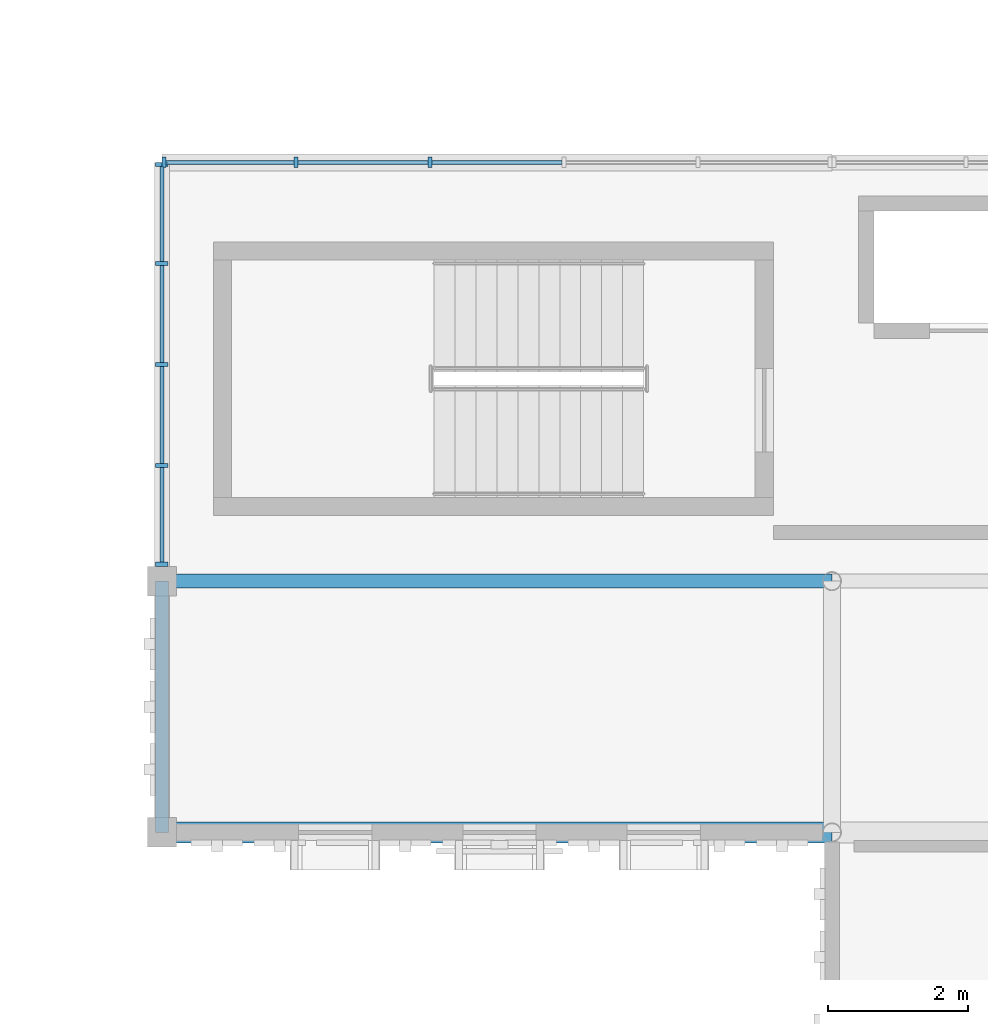
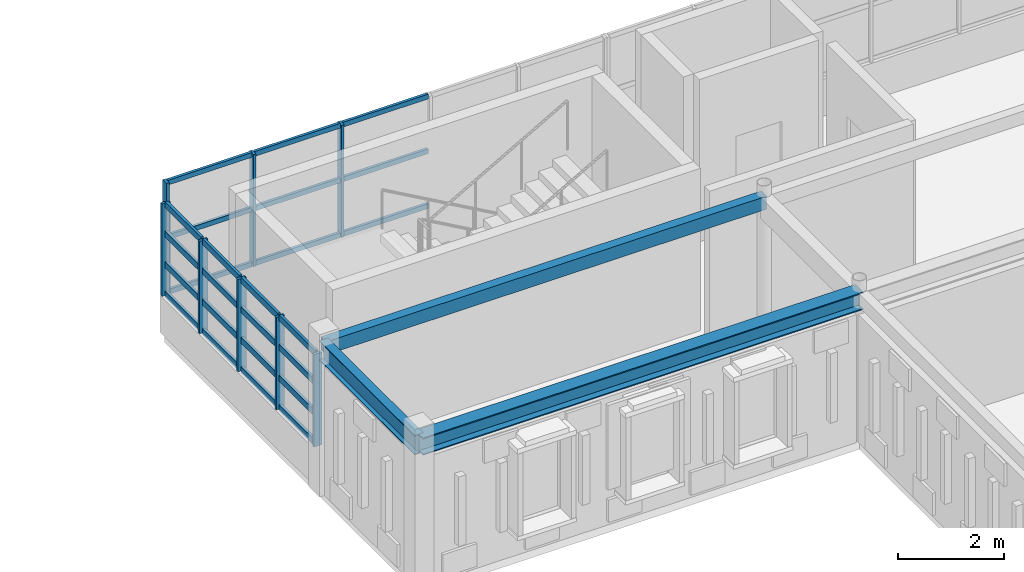
# One storey, part 14 of 46: 33 members, 3 beams, 2 elements without a shape of their own.
"""IFC4 building model written with IfcOpenShell, lengths in metres."""

from ifc_helpers import new_model, si_unit, direction, frame, origin, origin_2d, place, context, subcontext, project, spatial, rectangle, hollow_rectangle, i_section, extrude, material, material_profile, profile_set, type_object, element, aggregate, save


model = new_model("IFC4")

# Units and contexts
model_context = context("Model", 3, precision=1e-05, world=origin(), true_north=direction((0.0, 1.0)))
body_context = subcontext(model_context, "Body", "Model", "MODEL_VIEW")
ifc_project = project(units=[si_unit("LENGTHUNIT", "METRE"), si_unit("AREAUNIT", "SQUARE_METRE"), si_unit("VOLUMEUNIT", "CUBIC_METRE"), si_unit("PLANEANGLEUNIT", "RADIAN"), si_unit("MASSUNIT", "GRAM", prefix="KILO")], contexts=[model_context])

# Site, building, storey
site_placement = place(None, origin())
site = spatial("IfcSite", under=ifc_project, at=site_placement, CompositionType="ELEMENT")
building_placement = place(site_placement, origin())
building = spatial("IfcBuilding", under=site, at=building_placement, Name="Nzembalo Square Collegiate School", CompositionType="ELEMENT")
storey_placement = place(building_placement, frame((0.0, 0.0, 17.340087890625)))
storey = spatial("IfcBuildingStorey", under=building, at=storey_placement, Name="L04", CompositionType="ELEMENT", Elevation=17.340087890625)

# Beams
ifc_material_1 = material(Name="Steel S355", Category="steel")
ifc_material_profile_1 = material_profile(ifc_material_1, i_section(OverallWidth=0.18994140625, OverallDepth=0.449951171875, WebThickness=0.009521484375, FlangeThickness=0.0146484375, at=origin_2d()), Name="IPE 450")
ifc_profile_set_1 = profile_set([ifc_material_profile_1], Name="Steel S355")
beam_type_1 = type_object("IfcBeamType", Name="B09", PredefinedType="BEAM", material=ifc_profile_set_1)
beam_1_placement = place(storey_placement, frame((130.800048828125, 79.199951171875, 3.2099609375), z_axis=(0.0, 1.0, 0.0), x_axis=(-1.0, 0.0, 0.0)))
element("IfcBeam", 1, at=beam_1_placement, inside=storey, type_object=beam_type_1, Name="Beam B09 L04", PredefinedType="BEAM", context=body_context, shape_type="SweptSolid", body=[
    extrude(i_section(OverallWidth=0.18994140625, OverallDepth=0.449951171875, WebThickness=0.009521484375, FlangeThickness=0.0146484375, at=origin_2d()), origin(), (0.0, 0.0, 1.0), 3.60009765625),
])
ifc_material_2 = material(Name="Steel S355", Category="steel")
ifc_material_profile_2 = material_profile(ifc_material_2, i_section(OverallWidth=0.300048828125, OverallDepth=0.39990234375, WebThickness=0.013427734375, FlangeThickness=0.02392578125, at=origin_2d()), Name="HEB 400")
ifc_profile_set_2 = profile_set([ifc_material_profile_2], Name="Steel S355")
beam_type_2 = type_object("IfcBeamType", Name="B10", PredefinedType="BEAM", material=ifc_profile_set_2)
beam_2_placement = place(storey_placement, frame((130.800048828125, 79.199951171875, 3.23486328125), z_axis=(1.0, 0.0, 0.0), x_axis=(0.0, 1.0, 0.0)))
element("IfcBeam", 2, at=beam_2_placement, inside=storey, type_object=beam_type_2, Name="Beam B10 L04", PredefinedType="BEAM", context=body_context, shape_type="SweptSolid", body=[
    extrude(i_section(OverallWidth=0.300048828125, OverallDepth=0.39990234375, WebThickness=0.013427734375, FlangeThickness=0.02392578125, at=origin_2d()), origin(), (0.0, 0.0, 1.0), 9.599853515625),
])
ifc_material_3 = material(Name="Steel S355", Category="steel")
ifc_material_profile_3 = material_profile(ifc_material_3, hollow_rectangle(XDim=0.199951171875, YDim=0.300048828125, WallThickness=0.011962890625, at=origin_2d()), Name="RHS 300x200x12")
ifc_profile_set_3 = profile_set([ifc_material_profile_3], Name="Steel S355")
beam_type_3 = type_object("IfcBeamType", Name="SP03", PredefinedType="SPANDREL", material=ifc_profile_set_3)
beam_3_placement = place(storey_placement, frame((130.800048828125, 82.800048828125, 3.284912109375), z_axis=(1.0, 0.0, 0.0), x_axis=(0.0, 1.0, 0.0)))
element("IfcBeam", 3, at=beam_3_placement, inside=storey, type_object=beam_type_3, Name="Beam SP03 L04", PredefinedType="SPANDREL", context=body_context, shape_type="SweptSolid", body=[
    extrude(hollow_rectangle(XDim=0.199951171875, YDim=0.300048828125, WallThickness=0.011962890625, at=origin_2d()), origin(), (0.0, 0.0, 1.0), 9.599853515625),
])

# Curtain wall, members
ifc_material_4 = material(Name="Aluminium 6060-T66", Category="aluminium")
curtain_wall_type_1 = type_object("IfcCurtainWallType", Name="CW-02", PredefinedType="USERDEFINED", material=ifc_material_4)
curtain_wall_1_placement = place(storey_placement, origin())
curtain_wall_1 = element("IfcCurtainWall", 4, at=curtain_wall_1_placement, inside=storey, type_object=curtain_wall_type_1, Name="Curtain wall CW-02 cw:L04:137", ObjectType="UNITISED", PredefinedType="USERDEFINED")
ifc_material_5 = material(Name="Aluminium 6060-T66", Category="aluminium")
ifc_material_profile_4 = material_profile(ifc_material_5, rectangle(XDim=0.06005859375, YDim=0.179931640625, at=origin_2d()), Name="ALU M60x180")
ifc_profile_set_4 = profile_set([ifc_material_profile_4], Name="Aluminium 6060-T66")
member_type_1 = type_object("IfcMemberType", Name="ML01", PredefinedType="MULLION", material=ifc_profile_set_4)
member_1_placement = place(storey_placement, frame((130.800048828125, 83.0419921875, 0.849853515625), z_axis=(0.0, 0.0, 1.0), x_axis=(0.0, 1.0, 0.0)))
member_1 = element("IfcMember", 5, at=member_1_placement, type_object=member_type_1, Name="ML01 mullion 1", PredefinedType="MULLION", context=body_context, shape_type="SweptSolid", body=[
    extrude(rectangle(XDim=0.06005859375, YDim=0.179931640625, at=origin_2d()), origin(), (0.0, 0.0, 1.0), 2.129150390625),
])
member_2_placement = place(storey_placement, frame((130.800048828125, 84.458984375, 0.849853515625), z_axis=(0.0, 0.0, 1.0), x_axis=(0.0, 1.0, 0.0)))
member_2 = element("IfcMember", 6, at=member_2_placement, type_object=member_type_1, Name="ML01 mullion 2", PredefinedType="MULLION", context=body_context, shape_type="SweptSolid", body=[
    extrude(rectangle(XDim=0.06005859375, YDim=0.179931640625, at=origin_2d()), origin(), (0.0, 0.0, 1.0), 2.129150390625),
])
member_3_placement = place(storey_placement, frame((130.800048828125, 85.906005859375, 0.849853515625), z_axis=(0.0, 0.0, 1.0), x_axis=(0.0, 1.0, 0.0)))
member_3 = element("IfcMember", 7, at=member_3_placement, type_object=member_type_1, Name="ML01 mullion 3", PredefinedType="MULLION", context=body_context, shape_type="SweptSolid", body=[
    extrude(rectangle(XDim=0.06005859375, YDim=0.179931640625, at=origin_2d()), origin(), (0.0, 0.0, 1.0), 2.129150390625),
])
member_4_placement = place(storey_placement, frame((130.800048828125, 87.35302734375, 0.849853515625), z_axis=(0.0, 0.0, 1.0), x_axis=(0.0, 1.0, 0.0)))
member_4 = element("IfcMember", 8, at=member_4_placement, type_object=member_type_1, Name="ML01 mullion 4", PredefinedType="MULLION", context=body_context, shape_type="SweptSolid", body=[
    extrude(rectangle(XDim=0.06005859375, YDim=0.179931640625, at=origin_2d()), origin(), (0.0, 0.0, 1.0), 2.129150390625),
])
member_5_placement = place(storey_placement, frame((130.800048828125, 88.77001953125, 0.849853515625), z_axis=(0.0, 0.0, 1.0), x_axis=(0.0, 1.0, 0.0)))
member_5 = element("IfcMember", 9, at=member_5_placement, type_object=member_type_1, Name="ML01 mullion 5", PredefinedType="MULLION", context=body_context, shape_type="SweptSolid", body=[
    extrude(rectangle(XDim=0.06005859375, YDim=0.179931640625, at=origin_2d()), origin(), (0.0, 0.0, 1.0), 2.129150390625),
])

ifc_material_6 = material(Name="Aluminium 6060-T66", Category="aluminium")
curtain_wall_type_2 = type_object("IfcCurtainWallType", Name="CW-11", PredefinedType="USERDEFINED", material=ifc_material_6)
curtain_wall_2_placement = place(storey_placement, origin())
curtain_wall_2 = element("IfcCurtainWall", 10, at=curtain_wall_2_placement, inside=storey, type_object=curtain_wall_type_2, Name="Curtain wall CW-11 cw:L04:138", ObjectType="LANCET", PredefinedType="USERDEFINED")
ifc_material_7 = material(Name="Aluminium 6060-T66", Category="aluminium")
ifc_material_profile_5 = material_profile(ifc_material_7, rectangle(XDim=0.06005859375, YDim=0.14990234375, at=origin_2d()), Name="ALU M60x150")
ifc_profile_set_5 = profile_set([ifc_material_profile_5], Name="Aluminium 6060-T66")
member_type_2 = type_object("IfcMemberType", Name="ML02", PredefinedType="MULLION", material=ifc_profile_set_5)
member_6_placement = place(storey_placement, frame((130.830078125, 88.800048828125, 0.849853515625), z_axis=(0.0, 0.0, 1.0), x_axis=(1.0, 0.0, 0.0)))
member_6 = element("IfcMember", 11, at=member_6_placement, type_object=member_type_2, Name="ML02 mullion 1", PredefinedType="MULLION", context=body_context, shape_type="SweptSolid", body=[
    extrude(rectangle(XDim=0.06005859375, YDim=0.14990234375, at=origin_2d()), origin(), (0.0, 0.0, 1.0), 2.583984375),
])
member_7_placement = place(storey_placement, frame((132.719970703125, 88.800048828125, 0.849853515625), z_axis=(0.0, 0.0, 1.0), x_axis=(1.0, 0.0, 0.0)))
member_7 = element("IfcMember", 12, at=member_7_placement, type_object=member_type_2, Name="ML02 mullion 2", PredefinedType="MULLION", context=body_context, shape_type="SweptSolid", body=[
    extrude(rectangle(XDim=0.06005859375, YDim=0.14990234375, at=origin_2d()), origin(), (0.0, 0.0, 1.0), 2.583984375),
])
member_8_placement = place(storey_placement, frame((134.639892578125, 88.800048828125, 0.849853515625), z_axis=(0.0, 0.0, 1.0), x_axis=(1.0, 0.0, 0.0)))
member_8 = element("IfcMember", 13, at=member_8_placement, type_object=member_type_2, Name="ML02 mullion 3", PredefinedType="MULLION", context=body_context, shape_type="SweptSolid", body=[
    extrude(rectangle(XDim=0.06005859375, YDim=0.14990234375, at=origin_2d()), origin(), (0.0, 0.0, 1.0), 2.583984375),
])

# Member
ifc_material_8 = material(Name="Aluminium 6060-T66", Category="aluminium")
ifc_material_profile_6 = material_profile(ifc_material_8, rectangle(XDim=0.06005859375, YDim=0.139892578125, at=origin_2d()), Name="ALU T60x140")
ifc_profile_set_6 = profile_set([ifc_material_profile_6], Name="Aluminium 6060-T66")
member_type_3 = type_object("IfcMemberType", Name="TR01", PredefinedType="USERDEFINED", material=ifc_profile_set_6)
member_9_placement = place(storey_placement, frame((130.800048828125, 83.072021484375, 0.8798828125), z_axis=(0.0, 1.0, 0.0), x_axis=(-1.0, 0.0, 0.0)))
member_9 = element("IfcMember", 14, at=member_9_placement, type_object=member_type_3, Name="TR01 transom 1-1", ObjectType="TRANSOM", PredefinedType="USERDEFINED", context=body_context, shape_type="SweptSolid", body=[
    extrude(rectangle(XDim=0.06005859375, YDim=0.139892578125, at=origin_2d()), origin(), (0.0, 0.0, 1.0), 1.35693359375),
])

member_10_placement = place(storey_placement, frame((130.800048828125, 84.489013671875, 0.8798828125), z_axis=(0.0, 1.0, 0.0), x_axis=(-1.0, 0.0, 0.0)))
member_10 = element("IfcMember", 15, at=member_10_placement, type_object=member_type_3, Name="TR01 transom 1-2", ObjectType="TRANSOM", PredefinedType="USERDEFINED", context=body_context, shape_type="SweptSolid", body=[
    extrude(rectangle(XDim=0.06005859375, YDim=0.139892578125, at=origin_2d()), origin(), (0.0, 0.0, 1.0), 1.386962890625),
])

member_11_placement = place(storey_placement, frame((130.800048828125, 85.93603515625, 0.8798828125), z_axis=(0.0, 1.0, 0.0), x_axis=(-1.0, 0.0, 0.0)))
member_11 = element("IfcMember", 16, at=member_11_placement, type_object=member_type_3, Name="TR01 transom 1-3", ObjectType="TRANSOM", PredefinedType="USERDEFINED", context=body_context, shape_type="SweptSolid", body=[
    extrude(rectangle(XDim=0.06005859375, YDim=0.139892578125, at=origin_2d()), origin(), (0.0, 0.0, 1.0), 1.386962890625),
])

member_12_placement = place(storey_placement, frame((130.800048828125, 87.383056640625, 0.8798828125), z_axis=(0.0, 1.0, 0.0), x_axis=(-1.0, 0.0, 0.0)))
member_12 = element("IfcMember", 17, at=member_12_placement, type_object=member_type_3, Name="TR01 transom 1-4", ObjectType="TRANSOM", PredefinedType="USERDEFINED", context=body_context, shape_type="SweptSolid", body=[
    extrude(rectangle(XDim=0.06005859375, YDim=0.139892578125, at=origin_2d()), origin(), (0.0, 0.0, 1.0), 1.35693359375),
])

member_13_placement = place(storey_placement, frame((130.800048828125, 83.072021484375, 1.5595703125), z_axis=(0.0, 1.0, 0.0), x_axis=(-1.0, 0.0, 0.0)))
member_13 = element("IfcMember", 18, at=member_13_placement, type_object=member_type_3, Name="TR01 transom 2-1", ObjectType="TRANSOM", PredefinedType="USERDEFINED", context=body_context, shape_type="SweptSolid", body=[
    extrude(rectangle(XDim=0.06005859375, YDim=0.139892578125, at=origin_2d()), origin(), (0.0, 0.0, 1.0), 1.35693359375),
])

member_14_placement = place(storey_placement, frame((130.800048828125, 84.489013671875, 1.5595703125), z_axis=(0.0, 1.0, 0.0), x_axis=(-1.0, 0.0, 0.0)))
member_14 = element("IfcMember", 19, at=member_14_placement, type_object=member_type_3, Name="TR01 transom 2-2", ObjectType="TRANSOM", PredefinedType="USERDEFINED", context=body_context, shape_type="SweptSolid", body=[
    extrude(rectangle(XDim=0.06005859375, YDim=0.139892578125, at=origin_2d()), origin(), (0.0, 0.0, 1.0), 1.386962890625),
])

member_15_placement = place(storey_placement, frame((130.800048828125, 85.93603515625, 1.5595703125), z_axis=(0.0, 1.0, 0.0), x_axis=(-1.0, 0.0, 0.0)))
member_15 = element("IfcMember", 20, at=member_15_placement, type_object=member_type_3, Name="TR01 transom 2-3", ObjectType="TRANSOM", PredefinedType="USERDEFINED", context=body_context, shape_type="SweptSolid", body=[
    extrude(rectangle(XDim=0.06005859375, YDim=0.139892578125, at=origin_2d()), origin(), (0.0, 0.0, 1.0), 1.386962890625),
])

member_16_placement = place(storey_placement, frame((130.800048828125, 87.383056640625, 1.5595703125), z_axis=(0.0, 1.0, 0.0), x_axis=(-1.0, 0.0, 0.0)))
member_16 = element("IfcMember", 21, at=member_16_placement, type_object=member_type_3, Name="TR01 transom 2-4", ObjectType="TRANSOM", PredefinedType="USERDEFINED", context=body_context, shape_type="SweptSolid", body=[
    extrude(rectangle(XDim=0.06005859375, YDim=0.139892578125, at=origin_2d()), origin(), (0.0, 0.0, 1.0), 1.35693359375),
])

member_17_placement = place(storey_placement, frame((130.800048828125, 83.072021484375, 2.269287109375), z_axis=(0.0, 1.0, 0.0), x_axis=(-1.0, 0.0, 0.0)))
member_17 = element("IfcMember", 22, at=member_17_placement, type_object=member_type_3, Name="TR01 transom 3-1", ObjectType="TRANSOM", PredefinedType="USERDEFINED", context=body_context, shape_type="SweptSolid", body=[
    extrude(rectangle(XDim=0.06005859375, YDim=0.139892578125, at=origin_2d()), origin(), (0.0, 0.0, 1.0), 1.35693359375),
])

member_18_placement = place(storey_placement, frame((130.800048828125, 84.489013671875, 2.269287109375), z_axis=(0.0, 1.0, 0.0), x_axis=(-1.0, 0.0, 0.0)))
member_18 = element("IfcMember", 23, at=member_18_placement, type_object=member_type_3, Name="TR01 transom 3-2", ObjectType="TRANSOM", PredefinedType="USERDEFINED", context=body_context, shape_type="SweptSolid", body=[
    extrude(rectangle(XDim=0.06005859375, YDim=0.139892578125, at=origin_2d()), origin(), (0.0, 0.0, 1.0), 1.386962890625),
])

member_19_placement = place(storey_placement, frame((130.800048828125, 85.93603515625, 2.269287109375), z_axis=(0.0, 1.0, 0.0), x_axis=(-1.0, 0.0, 0.0)))
member_19 = element("IfcMember", 24, at=member_19_placement, type_object=member_type_3, Name="TR01 transom 3-3", ObjectType="TRANSOM", PredefinedType="USERDEFINED", context=body_context, shape_type="SweptSolid", body=[
    extrude(rectangle(XDim=0.06005859375, YDim=0.139892578125, at=origin_2d()), origin(), (0.0, 0.0, 1.0), 1.386962890625),
])

member_20_placement = place(storey_placement, frame((130.800048828125, 87.383056640625, 2.269287109375), z_axis=(0.0, 1.0, 0.0), x_axis=(-1.0, 0.0, 0.0)))
member_20 = element("IfcMember", 25, at=member_20_placement, type_object=member_type_3, Name="TR01 transom 3-4", ObjectType="TRANSOM", PredefinedType="USERDEFINED", context=body_context, shape_type="SweptSolid", body=[
    extrude(rectangle(XDim=0.06005859375, YDim=0.139892578125, at=origin_2d()), origin(), (0.0, 0.0, 1.0), 1.35693359375),
])

member_21_placement = place(storey_placement, frame((130.800048828125, 83.072021484375, 2.948974609375), z_axis=(0.0, 1.0, 0.0), x_axis=(-1.0, 0.0, 0.0)))
member_21 = element("IfcMember", 26, at=member_21_placement, type_object=member_type_3, Name="TR01 transom 4-1", ObjectType="TRANSOM", PredefinedType="USERDEFINED", context=body_context, shape_type="SweptSolid", body=[
    extrude(rectangle(XDim=0.06005859375, YDim=0.139892578125, at=origin_2d()), origin(), (0.0, 0.0, 1.0), 1.35693359375),
])

member_22_placement = place(storey_placement, frame((130.800048828125, 84.489013671875, 2.948974609375), z_axis=(0.0, 1.0, 0.0), x_axis=(-1.0, 0.0, 0.0)))
member_22 = element("IfcMember", 27, at=member_22_placement, type_object=member_type_3, Name="TR01 transom 4-2", ObjectType="TRANSOM", PredefinedType="USERDEFINED", context=body_context, shape_type="SweptSolid", body=[
    extrude(rectangle(XDim=0.06005859375, YDim=0.139892578125, at=origin_2d()), origin(), (0.0, 0.0, 1.0), 1.386962890625),
])

member_23_placement = place(storey_placement, frame((130.800048828125, 85.93603515625, 2.948974609375), z_axis=(0.0, 1.0, 0.0), x_axis=(-1.0, 0.0, 0.0)))
member_23 = element("IfcMember", 28, at=member_23_placement, type_object=member_type_3, Name="TR01 transom 4-3", ObjectType="TRANSOM", PredefinedType="USERDEFINED", context=body_context, shape_type="SweptSolid", body=[
    extrude(rectangle(XDim=0.06005859375, YDim=0.139892578125, at=origin_2d()), origin(), (0.0, 0.0, 1.0), 1.386962890625),
])

member_24_placement = place(storey_placement, frame((130.800048828125, 87.383056640625, 2.948974609375), z_axis=(0.0, 1.0, 0.0), x_axis=(-1.0, 0.0, 0.0)))
member_24 = element("IfcMember", 29, at=member_24_placement, type_object=member_type_3, Name="TR01 transom 4-4", ObjectType="TRANSOM", PredefinedType="USERDEFINED", context=body_context, shape_type="SweptSolid", body=[
    extrude(rectangle(XDim=0.06005859375, YDim=0.139892578125, at=origin_2d()), origin(), (0.0, 0.0, 1.0), 1.35693359375),
])

aggregate(curtain_wall_1, [member_1, member_2, member_3, member_4, member_5, member_9, member_10, member_11, member_12, member_13, member_14, member_15, member_16, member_17, member_18, member_19, member_20, member_21, member_22, member_23, member_24])

ifc_material_9 = material(Name="Aluminium 6060-T66", Category="aluminium")
ifc_material_profile_7 = material_profile(ifc_material_9, rectangle(XDim=0.06005859375, YDim=0.110107421875, at=origin_2d()), Name="ALU T60x110")
ifc_profile_set_7 = profile_set([ifc_material_profile_7], Name="Aluminium 6060-T66")
member_type_4 = type_object("IfcMemberType", Name="TR02", PredefinedType="USERDEFINED", material=ifc_profile_set_7)
member_25_placement = place(storey_placement, frame((130.860107421875, 88.800048828125, 0.8798828125), z_axis=(1.0, 0.0, 0.0), x_axis=(0.0, 1.0, 0.0)))
member_25 = element("IfcMember", 30, at=member_25_placement, type_object=member_type_4, Name="TR02 transom 1-1", ObjectType="TRANSOM", PredefinedType="USERDEFINED", context=body_context, shape_type="SweptSolid", body=[
    extrude(rectangle(XDim=0.06005859375, YDim=0.110107421875, at=origin_2d()), origin(), (0.0, 0.0, 1.0), 1.829833984375),
])

member_26_placement = place(storey_placement, frame((132.75, 88.800048828125, 0.8798828125), z_axis=(1.0, 0.0, 0.0), x_axis=(0.0, 1.0, 0.0)))
member_26 = element("IfcMember", 31, at=member_26_placement, type_object=member_type_4, Name="TR02 transom 1-2", ObjectType="TRANSOM", PredefinedType="USERDEFINED", context=body_context, shape_type="SweptSolid", body=[
    extrude(rectangle(XDim=0.06005859375, YDim=0.110107421875, at=origin_2d()), origin(), (0.0, 0.0, 1.0), 1.860107421875),
])

member_27_placement = place(storey_placement, frame((134.669921875, 88.800048828125, 0.8798828125), z_axis=(1.0, 0.0, 0.0), x_axis=(0.0, 1.0, 0.0)))
member_27 = element("IfcMember", 32, at=member_27_placement, type_object=member_type_4, Name="TR02 transom 1-3", ObjectType="TRANSOM", PredefinedType="USERDEFINED", context=body_context, shape_type="SweptSolid", body=[
    extrude(rectangle(XDim=0.06005859375, YDim=0.110107421875, at=origin_2d()), origin(), (0.0, 0.0, 1.0), 1.860107421875),
])

member_28_placement = place(storey_placement, frame((130.860107421875, 88.800048828125, 2.141845703125), z_axis=(1.0, 0.0, 0.0), x_axis=(0.0, 1.0, 0.0)))
member_28 = element("IfcMember", 33, at=member_28_placement, type_object=member_type_4, Name="TR02 transom 2-1", ObjectType="TRANSOM", PredefinedType="USERDEFINED", context=body_context, shape_type="SweptSolid", body=[
    extrude(rectangle(XDim=0.06005859375, YDim=0.110107421875, at=origin_2d()), origin(), (0.0, 0.0, 1.0), 1.829833984375),
])

member_29_placement = place(storey_placement, frame((132.75, 88.800048828125, 2.141845703125), z_axis=(1.0, 0.0, 0.0), x_axis=(0.0, 1.0, 0.0)))
member_29 = element("IfcMember", 34, at=member_29_placement, type_object=member_type_4, Name="TR02 transom 2-2", ObjectType="TRANSOM", PredefinedType="USERDEFINED", context=body_context, shape_type="SweptSolid", body=[
    extrude(rectangle(XDim=0.06005859375, YDim=0.110107421875, at=origin_2d()), origin(), (0.0, 0.0, 1.0), 1.860107421875),
])

member_30_placement = place(storey_placement, frame((134.669921875, 88.800048828125, 2.141845703125), z_axis=(1.0, 0.0, 0.0), x_axis=(0.0, 1.0, 0.0)))
member_30 = element("IfcMember", 35, at=member_30_placement, type_object=member_type_4, Name="TR02 transom 2-3", ObjectType="TRANSOM", PredefinedType="USERDEFINED", context=body_context, shape_type="SweptSolid", body=[
    extrude(rectangle(XDim=0.06005859375, YDim=0.110107421875, at=origin_2d()), origin(), (0.0, 0.0, 1.0), 1.860107421875),
])

member_31_placement = place(storey_placement, frame((130.860107421875, 88.800048828125, 3.40380859375), z_axis=(1.0, 0.0, 0.0), x_axis=(0.0, 1.0, 0.0)))
member_31 = element("IfcMember", 36, at=member_31_placement, type_object=member_type_4, Name="TR02 transom 3-1", ObjectType="TRANSOM", PredefinedType="USERDEFINED", context=body_context, shape_type="SweptSolid", body=[
    extrude(rectangle(XDim=0.06005859375, YDim=0.110107421875, at=origin_2d()), origin(), (0.0, 0.0, 1.0), 1.829833984375),
])

member_32_placement = place(storey_placement, frame((132.75, 88.800048828125, 3.40380859375), z_axis=(1.0, 0.0, 0.0), x_axis=(0.0, 1.0, 0.0)))
member_32 = element("IfcMember", 37, at=member_32_placement, type_object=member_type_4, Name="TR02 transom 3-2", ObjectType="TRANSOM", PredefinedType="USERDEFINED", context=body_context, shape_type="SweptSolid", body=[
    extrude(rectangle(XDim=0.06005859375, YDim=0.110107421875, at=origin_2d()), origin(), (0.0, 0.0, 1.0), 1.860107421875),
])

member_33_placement = place(storey_placement, frame((134.669921875, 88.800048828125, 3.40380859375), z_axis=(1.0, 0.0, 0.0), x_axis=(0.0, 1.0, 0.0)))
member_33 = element("IfcMember", 38, at=member_33_placement, type_object=member_type_4, Name="TR02 transom 3-3", ObjectType="TRANSOM", PredefinedType="USERDEFINED", context=body_context, shape_type="SweptSolid", body=[
    extrude(rectangle(XDim=0.06005859375, YDim=0.110107421875, at=origin_2d()), origin(), (0.0, 0.0, 1.0), 1.860107421875),
])

aggregate(curtain_wall_2, [member_6, member_7, member_8, member_25, member_26, member_27, member_28, member_29, member_30, member_31, member_32, member_33])

save(model, "model.ifc")
